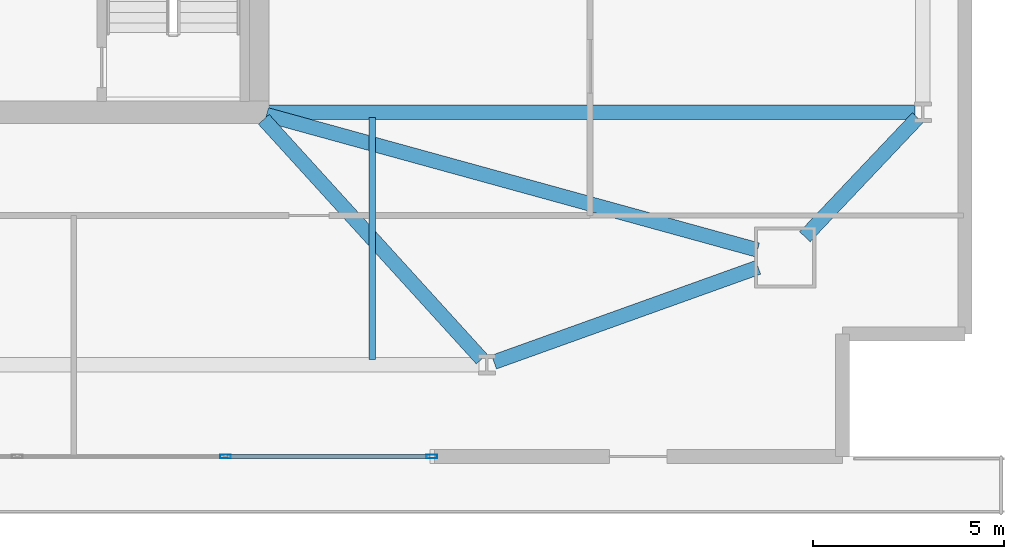
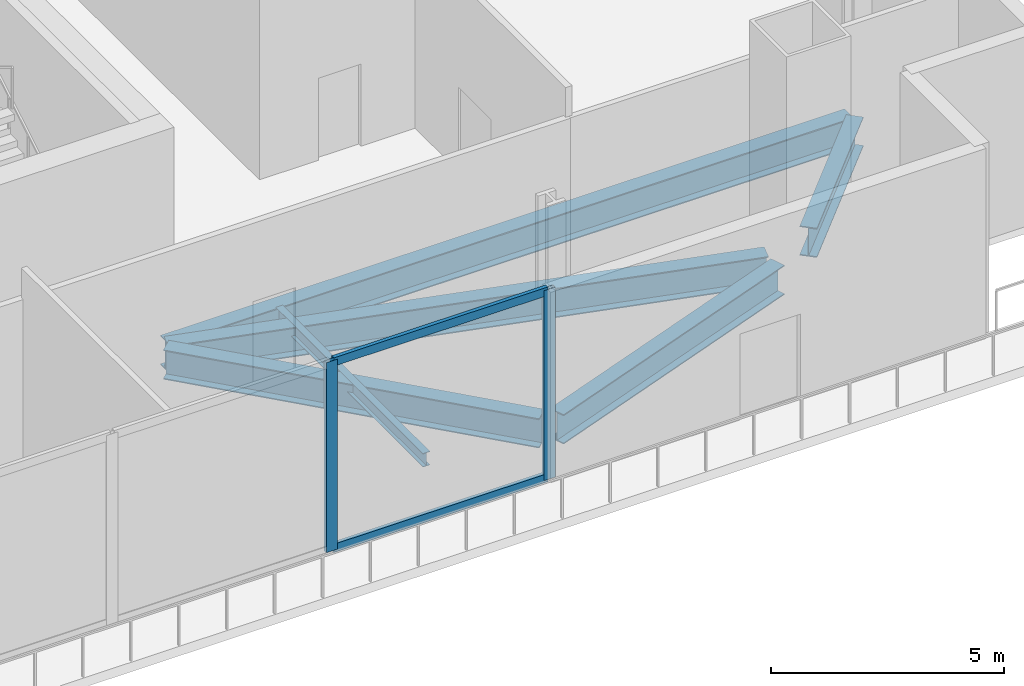
# One storey, part 5 of 16: 6 beams, 4 members, 1 element without a shape of its own.
"""IFC4 building model written with IfcOpenShell, lengths in metres."""

from ifc_helpers import new_model, si_unit, direction, frame, origin, origin_2d, place, context, subcontext, project, spatial, hollow_rectangle, i_section, extrude, material, material_profile, profile_set, type_object, element, aggregate, save


model = new_model("IFC4")

# Units and contexts
model_context = context("Model", 3, precision=1e-05, world=origin(), true_north=direction((0.0, 1.0)))
body_context = subcontext(model_context, "Body", "Model", "MODEL_VIEW")
ifc_project = project(units=[si_unit("LENGTHUNIT", "METRE"), si_unit("AREAUNIT", "SQUARE_METRE"), si_unit("VOLUMEUNIT", "CUBIC_METRE"), si_unit("PLANEANGLEUNIT", "RADIAN"), si_unit("MASSUNIT", "GRAM", prefix="KILO")], contexts=[model_context])

# Site, building, storey
site_placement = place(None, origin())
site = spatial("IfcSite", under=ifc_project, at=site_placement, CompositionType="ELEMENT")
building_placement = place(site_placement, origin())
building = spatial("IfcBuilding", under=site, at=building_placement, Name="Haldenkirk Collegiate Tower", CompositionType="ELEMENT")
storey_placement = place(building_placement, frame((0.0, 0.0, 16.800048828125)))
storey = spatial("IfcBuildingStorey", under=building, at=storey_placement, Name="L03", CompositionType="ELEMENT", Elevation=16.800048828125)

# Beams
ifc_material_1 = material(Name="Steel ASTM A992 Grade 50", Category="steel")
ifc_material_profile_1 = material_profile(ifc_material_1, i_section(OverallWidth=0.381103515625, OverallDepth=0.77294921875, WebThickness=0.0166015625, FlangeThickness=0.027099609375, at=origin_2d()), Name="W30X173")
ifc_profile_set_1 = profile_set([ifc_material_profile_1], Name="Steel ASTM A992 Grade 50")
beam_type_1 = type_object("IfcBeamType", Name="BM-GIRDER-W30X173", PredefinedType="BEAM", material=ifc_profile_set_1)
beam_1_placement = place(storey_placement, frame((51.188232421875, 11.467529296875, -0.716552734375), z_axis=(0.941194128141, 0.337866265189, 0.0), x_axis=(-0.337866265189, 0.941194128141, 0.0)))
element("IfcBeam", 1, at=beam_1_placement, inside=storey, type_object=beam_type_1, Name="L03 podium ring girder 04", PredefinedType="BEAM", context=body_context, shape_type="SweptSolid", body=[
    extrude(i_section(OverallWidth=0.381103515625, OverallDepth=0.77294921875, WebThickness=0.0166015625, FlangeThickness=0.027099609375, at=origin_2d()), origin(), (0.0, 0.0, 1.0), 7.337158203125),
])
beam_2_placement = place(storey_placement, frame((59.31591796875, 14.744384765625, -0.716552734375), z_axis=(0.687730422772, 0.725966160089, 0.0), x_axis=(-0.725966160089, 0.687730422772, 0.0)))
element("IfcBeam", 2, at=beam_2_placement, inside=storey, type_object=beam_type_1, Name="L03 podium ring girder 05", PredefinedType="BEAM", context=body_context, shape_type="SweptSolid", body=[
    extrude(i_section(OverallWidth=0.381103515625, OverallDepth=0.77294921875, WebThickness=0.0166015625, FlangeThickness=0.027099609375, at=origin_2d()), origin(), (0.0, 0.0, 1.0), 4.284423828125),
])
beam_3_placement = place(storey_placement, frame((62.199951171875, 18.0, -0.716552734375), z_axis=(-1.0, 0.0, 0.0), x_axis=(0.0, -1.0, 0.0)))
element("IfcBeam", 3, at=beam_3_placement, inside=storey, type_object=beam_type_1, Name="L03 podium radial girder 03", PredefinedType="BEAM", context=body_context, shape_type="SweptSolid", body=[
    extrude(i_section(OverallWidth=0.381103515625, OverallDepth=0.77294921875, WebThickness=0.0166015625, FlangeThickness=0.027099609375, at=origin_2d()), origin(), (0.0, 0.0, 1.0), 16.949951171875),
])
beam_4_placement = place(storey_placement, frame((50.865478515625, 11.548095703125, -0.716552734375), z_axis=(-0.672681402593, 0.739932247307, 0.0), x_axis=(-0.739932247307, -0.672681402593, 0.0)))
element("IfcBeam", 4, at=beam_4_placement, inside=storey, type_object=beam_type_1, Name="L03 podium radial girder 08", PredefinedType="BEAM", context=body_context, shape_type="SweptSolid", body=[
    extrude(i_section(OverallWidth=0.381103515625, OverallDepth=0.77294921875, WebThickness=0.0166015625, FlangeThickness=0.027099609375, at=origin_2d()), origin(), (0.0, 0.0, 1.0), 8.469482421875),
])
beam_5_placement = place(storey_placement, frame((58.076904296875, 14.399169921875, -0.716552734375), z_axis=(-0.964118138457, 0.265473567606, 0.0), x_axis=(-0.265473567606, -0.964118138457, 0.0)))
element("IfcBeam", 5, at=beam_5_placement, inside=storey, type_object=beam_type_1, Name="L03 podium radial girder 12", PredefinedType="BEAM", context=body_context, shape_type="SweptSolid", body=[
    extrude(i_section(OverallWidth=0.381103515625, OverallDepth=0.77294921875, WebThickness=0.0166015625, FlangeThickness=0.027099609375, at=origin_2d()), origin(), (0.0, 0.0, 1.0), 13.313720703125),
])
ifc_material_profile_2 = material_profile(ifc_material_1, i_section(OverallWidth=0.1708984375, OverallDepth=0.35595703125, WebThickness=0.007080078125, FlangeThickness=0.01171875, at=origin_2d()), Name="W14X34")
ifc_profile_set_2 = profile_set([ifc_material_profile_2], Name="Steel ASTM A992 Grade 50")
beam_type_2 = type_object("IfcBeamType", Name="BM-JOIST-W14X34", PredefinedType="JOIST", material=ifc_profile_set_2)
beam_6_placement = place(storey_placement, frame((48.0, 11.5400390625, -0.508056640625), z_axis=(0.0, 1.0, 0.0), x_axis=(-1.0, 0.0, 0.0)))
element("IfcBeam", 6, at=beam_6_placement, inside=storey, type_object=beam_type_2, Name="L03 south bay floor joist 2", PredefinedType="JOIST", context=body_context, shape_type="SweptSolid", body=[
    extrude(i_section(OverallWidth=0.1708984375, OverallDepth=0.35595703125, WebThickness=0.007080078125, FlangeThickness=0.01171875, at=origin_2d()), origin(), (0.0, 0.0, 1.0), 6.320068359375),
])

# Curtain wall, members
ifc_material_2 = material(Name="Anodised architectural bronze aluminium", Category="aluminium")
curtain_wall_type = type_object("IfcCurtainWallType", Name="CW-SYS3-PODIUM", PredefinedType="USERDEFINED", material=ifc_material_2)
curtain_wall_placement = place(storey_placement, origin())
curtain_wall = element("IfcCurtainWall", 7, at=curtain_wall_placement, inside=storey, type_object=curtain_wall_type, Name="L03 Podium campus concourse and library storefront curtain wall", ObjectType="UNITISED CURTAIN WALL", PredefinedType="USERDEFINED")
ifc_material_profile_3 = material_profile(ifc_material_2, hollow_rectangle(XDim=0.094970703125, YDim=0.280029296875, WallThickness=0.0048828125, at=origin_2d()), Name="CW-MUL-03")
ifc_profile_set_3 = profile_set([ifc_material_profile_3], Name="Anodised architectural bronze aluminium")
member_type_1 = type_object("IfcMemberType", Name="CW-MUL-03", PredefinedType="MULLION", material=ifc_profile_set_3)
member_1_placement = place(storey_placement, frame((49.560546875, 9.0, 0.0), z_axis=(0.0, 0.0, 1.0), x_axis=(0.0, -1.0, 0.0)))
member_1 = element("IfcMember", 8, at=member_1_placement, type_object=member_type_1, Name="CW-03 mullion 1", PredefinedType="MULLION", context=body_context, shape_type="SweptSolid", body=[
    extrude(hollow_rectangle(XDim=0.094970703125, YDim=0.280029296875, WallThickness=0.0048828125, at=origin_2d()), origin(), (0.0, 0.0, 1.0), 4.97998046875),
])
member_2_placement = place(storey_placement, frame((44.164794921875, 9.0, 0.0), z_axis=(0.0, 0.0, 1.0), x_axis=(0.0, -1.0, 0.0)))
member_2 = element("IfcMember", 9, at=member_2_placement, type_object=member_type_1, Name="CW-03 mullion 2", PredefinedType="MULLION", context=body_context, shape_type="SweptSolid", body=[
    extrude(hollow_rectangle(XDim=0.094970703125, YDim=0.280029296875, WallThickness=0.0048828125, at=origin_2d()), origin(), (0.0, 0.0, 1.0), 4.97998046875),
])
ifc_material_profile_4 = material_profile(ifc_material_2, hollow_rectangle(XDim=0.094970703125, YDim=0.219970703125, WallThickness=0.0048828125, at=origin_2d()), Name="CW-TRN-03")
ifc_profile_set_4 = profile_set([ifc_material_profile_4], Name="Anodised architectural bronze aluminium")
member_type_2 = type_object("IfcMemberType", Name="CW-TRN-03", PredefinedType="USERDEFINED", material=ifc_profile_set_4)
member_3_placement = place(storey_placement, frame((49.512939453125, 9.0, 0.04736328125), z_axis=(-1.0, 0.0, 0.0), x_axis=(0.0, -1.0, 0.0)))
member_3 = element("IfcMember", 10, at=member_3_placement, type_object=member_type_2, Name="CW-03 transom 1.1", ObjectType="TRANSOM", PredefinedType="USERDEFINED", context=body_context, shape_type="SweptSolid", body=[
    extrude(hollow_rectangle(XDim=0.094970703125, YDim=0.219970703125, WallThickness=0.0048828125, at=origin_2d()), origin(), (0.0, 0.0, 1.0), 5.300537109375),
])
member_4_placement = place(storey_placement, frame((49.512939453125, 9.0, 4.932373046875), z_axis=(-1.0, 0.0, 0.0), x_axis=(0.0, -1.0, 0.0)))
member_4 = element("IfcMember", 11, at=member_4_placement, type_object=member_type_2, Name="CW-03 transom 1.2", ObjectType="TRANSOM", PredefinedType="USERDEFINED", context=body_context, shape_type="SweptSolid", body=[
    extrude(hollow_rectangle(XDim=0.094970703125, YDim=0.219970703125, WallThickness=0.0048828125, at=origin_2d()), origin(), (0.0, 0.0, 1.0), 5.300537109375),
])
aggregate(curtain_wall, [member_1, member_2, member_3, member_4])

save(model, "model.ifc")
